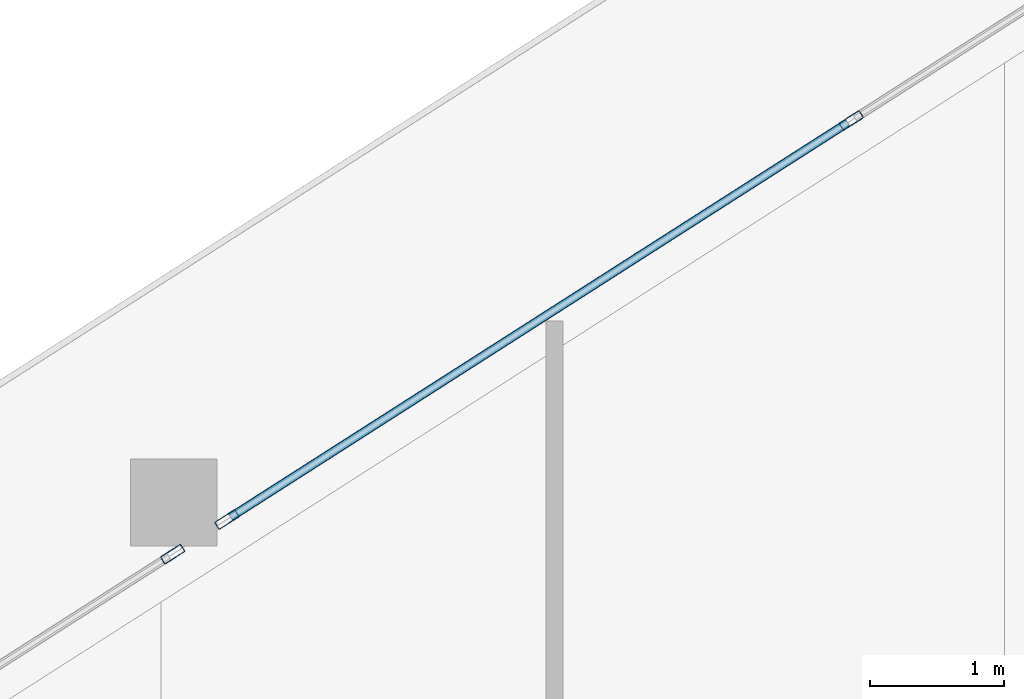
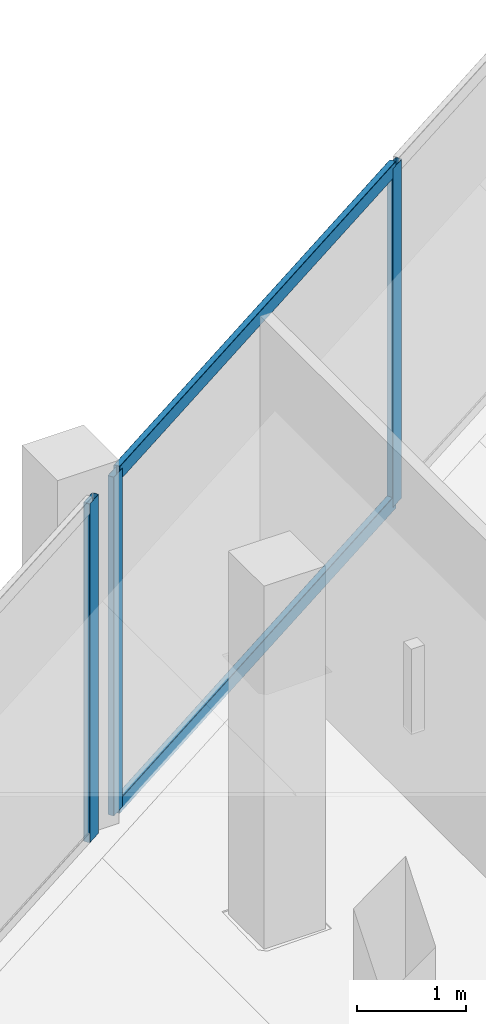
# One storey, part 18 of 37: 5 members, 2 elements without a shape of their own.
"""IFC4 building model written with IfcOpenShell, lengths in metres."""

from ifc_helpers import new_model, si_unit, direction, frame, origin, origin_2d, place, context, subcontext, project, spatial, hollow_rectangle, extrude, material, layer, layer_set, material_profile, profile_set, type_object, element, aggregate, save


model = new_model("IFC4")

# Units and contexts
model_context = context("Model", 3, precision=1e-05, world=origin(), true_north=direction((0.0, 1.0)))
body_context = subcontext(model_context, "Body", "Model", "MODEL_VIEW")
ifc_project = project(units=[si_unit("LENGTHUNIT", "METRE"), si_unit("AREAUNIT", "SQUARE_METRE"), si_unit("VOLUMEUNIT", "CUBIC_METRE"), si_unit("PLANEANGLEUNIT", "RADIAN"), si_unit("MASSUNIT", "GRAM", prefix="KILO")], contexts=[model_context])

# Site, building, storey
site_placement = place(None, origin())
site = spatial("IfcSite", under=ifc_project, at=site_placement, CompositionType="ELEMENT")
building_placement = place(site_placement, origin())
building = spatial("IfcBuilding", under=site, at=building_placement, Name="Qorvath Tower", CompositionType="ELEMENT")
storey_placement = place(building_placement, frame((0.0, 0.0, 184.800048828125)))
storey = spatial("IfcBuildingStorey", under=building, at=storey_placement, Name="L42", CompositionType="ELEMENT", Elevation=184.800048828125)

# Curtain wall, members
ifc_material_1 = material(Name="Anodised aluminium and triple low-E glass", Category="aluminium")
ifc_layer = layer(ifc_material_1, 0.179931640625)
ifc_layer_set = layer_set([ifc_layer], Name="CW-SYS-3")
curtain_wall_type = type_object("IfcCurtainWallType", Name="CW-SYS-3", PredefinedType="NOTDEFINED", material=ifc_layer_set)
curtain_wall_1_placement = place(storey_placement, origin())
curtain_wall_1 = element("IfcCurtainWall", 1, at=curtain_wall_1_placement, inside=storey, type_object=curtain_wall_type, Name="Curtain Wall CW-3 CW-T-L42-16.1", PredefinedType="NOTDEFINED")
ifc_material_2 = material(Name="Anodised aluminium 6063-T6", Category="aluminium")
ifc_material_profile_1 = material_profile(ifc_material_2, hollow_rectangle(XDim=0.06494140625, YDim=0.179931640625, WallThickness=0.00341796875, InnerFilletRadius=0.00341796875, OuterFilletRadius=0.007080078125, at=origin_2d()), Name="CWM 180x65")
ifc_profile_set_1 = profile_set([ifc_material_profile_1], Name="Anodised aluminium 6063-T6")
member_type_1 = type_object("IfcMemberType", Name="CWM-180", PredefinedType="MULLION", material=ifc_profile_set_1)
member_1_placement = place(storey_placement, frame((-25.951171875, 22.315185546875, 0.0), z_axis=(0.0, 0.0, 1.0), x_axis=(0.538531234683, -0.842605547852, 0.0)))
member_1 = element("IfcMember", 2, at=member_1_placement, type_object=member_type_1, Name="CW-3 mullion 3", PredefinedType="MULLION", context=body_context, shape_type="SweptSolid", body=[
    extrude(hollow_rectangle(XDim=0.06494140625, YDim=0.179931640625, WallThickness=0.00341796875, InnerFilletRadius=0.00341796875, OuterFilletRadius=0.007080078125, at=origin_2d()), origin(), (0.0, 0.0, 1.0), 3.780029296875),
])
member_2_placement = place(storey_placement, frame((-30.61865234375, 19.33203125, 0.0), z_axis=(0.0, 0.0, 1.0), x_axis=(0.538531234683, -0.842605547852, 0.0)))
member_2 = element("IfcMember", 3, at=member_2_placement, type_object=member_type_1, Name="CW-3 mullion 4", PredefinedType="MULLION", context=body_context, shape_type="SweptSolid", body=[
    extrude(hollow_rectangle(XDim=0.06494140625, YDim=0.179931640625, WallThickness=0.00341796875, InnerFilletRadius=0.00341796875, OuterFilletRadius=0.007080078125, at=origin_2d()), origin(), (0.0, 0.0, 1.0), 3.780029296875),
])

# Curtain wall, member
curtain_wall_2_placement = place(storey_placement, origin())
curtain_wall_2 = element("IfcCurtainWall", 4, at=curtain_wall_2_placement, inside=storey, type_object=curtain_wall_type, Name="Curtain Wall CW-3 CW-T-L42-16.2", PredefinedType="NOTDEFINED")
member_3_placement = place(storey_placement, frame((-31.02392578125, 19.07275390625, 0.0), z_axis=(0.0, 0.0, 1.0), x_axis=(0.538532984504, -0.842604429493, 0.0)))
member_3 = element("IfcMember", 5, at=member_3_placement, type_object=member_type_1, Name="CW-3 mullion 1", PredefinedType="MULLION", context=body_context, shape_type="SweptSolid", body=[
    extrude(hollow_rectangle(XDim=0.06494140625, YDim=0.179931640625, WallThickness=0.00341796875, InnerFilletRadius=0.00341796875, OuterFilletRadius=0.007080078125, at=origin_2d()), origin(), (0.0, 0.0, 1.0), 3.780029296875),
])
aggregate(curtain_wall_2, [member_3])

# Member
ifc_material_3 = material(Name="Anodised aluminium 6063-T6", Category="aluminium")
ifc_material_profile_2 = material_profile(ifc_material_3, hollow_rectangle(XDim=0.06494140625, YDim=0.159912109375, WallThickness=0.00341796875, InnerFilletRadius=0.00341796875, OuterFilletRadius=0.007080078125, at=origin_2d()), Name="CWT 160x65")
ifc_profile_set_2 = profile_set([ifc_material_profile_2], Name="Anodised aluminium 6063-T6")
member_type_2 = type_object("IfcMemberType", Name="CWT-160", PredefinedType="USERDEFINED", material=ifc_profile_set_2)
member_4_placement = place(storey_placement, frame((-25.978515625, 22.297607421875, 0.032470703125), z_axis=(-0.842618688669, -0.53851067353, 0.0), x_axis=(0.53851067353, -0.842618688669, 0.0)))
member_4 = element("IfcMember", 6, at=member_4_placement, type_object=member_type_2, Name="CW-3 transom 3.1", ObjectType="TRANSOM", PredefinedType="USERDEFINED", context=body_context, shape_type="SweptSolid", body=[
    extrude(hollow_rectangle(XDim=0.06494140625, YDim=0.159912109375, WallThickness=0.00341796875, InnerFilletRadius=0.00341796875, OuterFilletRadius=0.007080078125, at=origin_2d()), origin(), (0.0, 0.0, 1.0), 5.474365234375),
])

member_5_placement = place(storey_placement, frame((-25.978515625, 22.297607421875, 3.74755859375), z_axis=(-0.842618688669, -0.53851067353, 0.0), x_axis=(0.53851067353, -0.842618688669, 0.0)))
member_5 = element("IfcMember", 7, at=member_5_placement, type_object=member_type_2, Name="CW-3 transom 3.2", ObjectType="TRANSOM", PredefinedType="USERDEFINED", context=body_context, shape_type="SweptSolid", body=[
    extrude(hollow_rectangle(XDim=0.06494140625, YDim=0.159912109375, WallThickness=0.00341796875, InnerFilletRadius=0.00341796875, OuterFilletRadius=0.007080078125, at=origin_2d()), origin(), (0.0, 0.0, 1.0), 5.474365234375),
])

aggregate(curtain_wall_1, [member_1, member_2, member_4, member_5])

save(model, "model.ifc")
